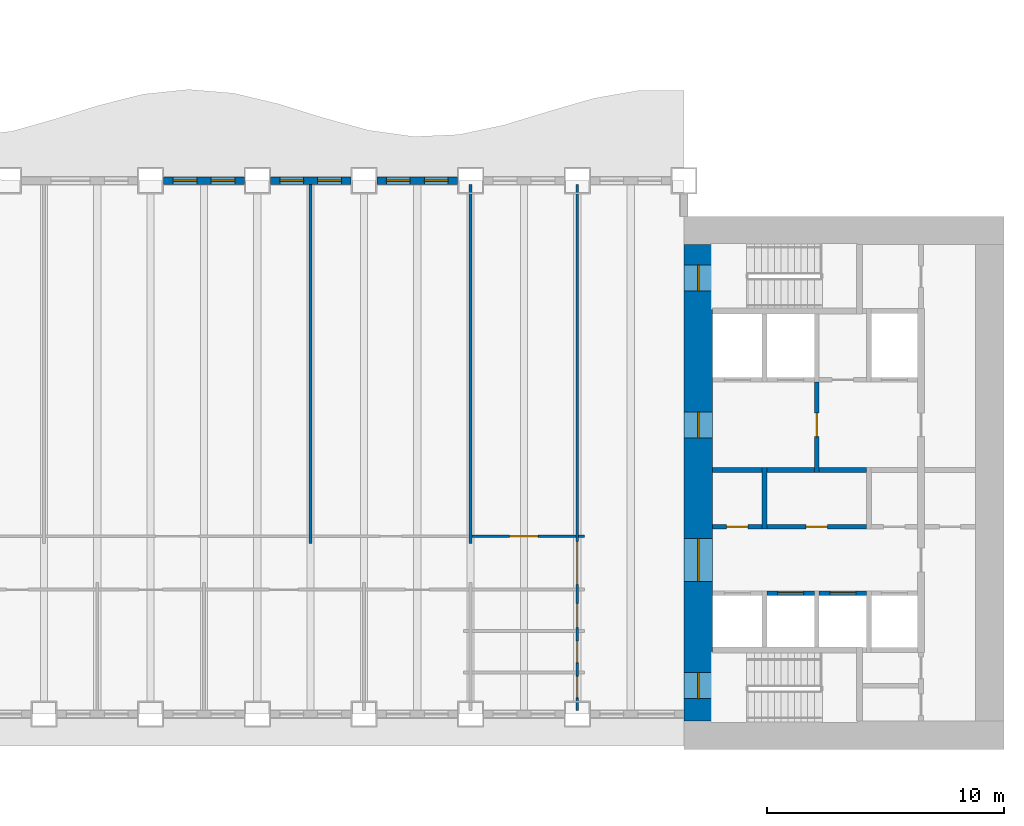
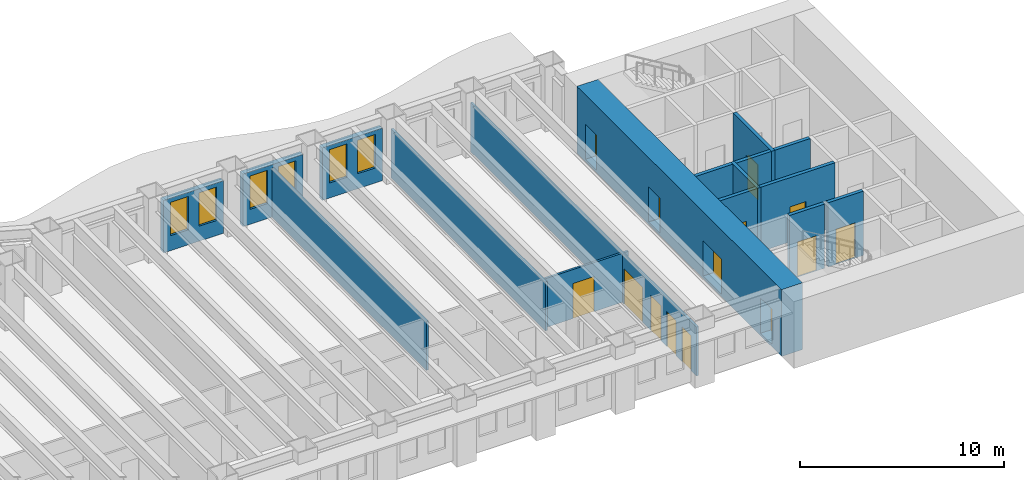
# One storey, part 6 of 17: 18 walls, 14 doors, 6 windows, 20 openings.
"""IFC4 building model written with IfcOpenShell, lengths in metres."""

from ifc_helpers import new_model, si_unit, direction, frame, frame_2d, origin, place, context, subcontext, project, spatial, rectangle, extrude, material, layer, layer_set, type_object, element, fill, save


model = new_model("IFC4")

# Units and contexts
model_context = context("Model", 3, precision=1e-05, world=origin(), true_north=direction((0.0, 1.0)))
body_context = subcontext(model_context, "Body", "Model", "MODEL_VIEW")
ifc_project = project(units=[si_unit("LENGTHUNIT", "METRE"), si_unit("AREAUNIT", "SQUARE_METRE"), si_unit("VOLUMEUNIT", "CUBIC_METRE"), si_unit("PLANEANGLEUNIT", "RADIAN"), si_unit("MASSUNIT", "GRAM", prefix="KILO")], contexts=[model_context])

# Site, building, storey
site_placement = place(None, origin())
site = spatial("IfcSite", under=ifc_project, at=site_placement, CompositionType="ELEMENT")
building_placement = place(site_placement, origin())
building = spatial("IfcBuilding", under=site, at=building_placement, Name="Sennacour Bend Tower", CompositionType="ELEMENT")
storey_placement = place(building_placement, frame((0.0, 0.0, 53.0)))
storey = spatial("IfcBuildingStorey", under=building, at=storey_placement, Name="L11", CompositionType="ELEMENT", Elevation=53.0)

# Wall, openings, doors
ifc_material_1 = material(Name="Concrete C80/95", Category="concrete")
ifc_layer_1 = layer(ifc_material_1, 1.199951171875, Name="Concrete C80/95", Category="concrete")
ifc_layer_set_1 = layer_set([ifc_layer_1], Name="Concrete C80/95")
wall_type_1 = type_object("IfcWallType", Name="Core wall 1200 C80/95", PredefinedType="SHEAR", material=ifc_layer_set_1)
wall_1_placement = place(storey_placement, frame((54.60009765625, 1.199951171875, -0.14990234375), z_axis=(0.0, 0.0, 1.0), x_axis=(0.0, 1.0, 0.0)))
wall_1 = element("IfcWall", 1, at=wall_1_placement, inside=storey, type_object=wall_type_1, Name="Core A wall L11 W", PredefinedType="SHEAR", context=body_context, shape_type="SweptSolid", body=[
    extrude(rectangle(XDim=20.10009765625, YDim=1.199951171875, at=frame_2d((10.050048828125, 0.0))), origin(), (0.0, 0.0, 1.0), 4.0),
])
opening_1_placement = place(wall_1_placement, frame((5.89990234375, 0.0, 0.14990234375)))
opening_1 = element("IfcOpeningElement", 2, at=opening_1_placement, cuts=wall_1, Name="Opening CD", PredefinedType="OPENING", context=body_context, shape_type="SweptSolid", body=[
    extrude(rectangle(XDim=1.800048828125, YDim=2.10009765625, at=frame_2d((0.89990234375, 1.050048828125))), frame((0.0, 0.60986328125, 0.0), z_axis=(0.0, -1.0, 0.0), x_axis=(1.0, 0.0, 0.0)), (0.0, 0.0, 1.0), 1.219970703125),
])
opening_2_placement = place(wall_1_placement, frame((11.949951171875, 0.0, 0.14990234375)))
opening_2 = element("IfcOpeningElement", 3, at=opening_2_placement, cuts=wall_1, Name="Opening FD", PredefinedType="OPENING", context=body_context, shape_type="SweptSolid", body=[
    extrude(rectangle(XDim=1.10009765625, YDim=2.10009765625, at=frame_2d((0.550048828125, 1.050048828125))), frame((0.0, 0.60986328125, 0.0), z_axis=(0.0, -1.0, 0.0), x_axis=(1.0, 0.0, 0.0)), (0.0, 0.0, 1.0), 1.219970703125),
])
opening_3_placement = place(wall_1_placement, frame((0.949951171875, 0.0, 0.14990234375)))
opening_3 = element("IfcOpeningElement", 4, at=opening_3_placement, cuts=wall_1, Name="Opening SD", PredefinedType="OPENING", context=body_context, shape_type="SweptSolid", body=[
    extrude(rectangle(XDim=1.10009765625, YDim=2.10009765625, at=frame_2d((0.550048828125, 1.050048828125))), frame((0.0, 0.60986328125, 0.0), z_axis=(0.0, -1.0, 0.0), x_axis=(1.0, 0.0, 0.0)), (0.0, 0.0, 1.0), 1.219970703125),
])
opening_4_placement = place(wall_1_placement, frame((18.14990234375, 0.0, 0.14990234375)))
opening_4 = element("IfcOpeningElement", 5, at=opening_4_placement, cuts=wall_1, Name="Opening SD", PredefinedType="OPENING", context=body_context, shape_type="SweptSolid", body=[
    extrude(rectangle(XDim=1.10009765625, YDim=2.10009765625, at=frame_2d((0.550048828125, 1.050048828125))), frame((0.0, 0.60986328125, 0.0), z_axis=(0.0, -1.0, 0.0), x_axis=(1.0, 0.0, 0.0)), (0.0, 0.0, 1.0), 1.219970703125),
])
ifc_material_2 = material(Name="Painted steel", Category="steel")
door_type_1 = type_object("IfcDoorType", Name="DR-FFL-1100", OperationType="NOTDEFINED", PredefinedType="DOOR", material=ifc_material_2)
door_1_placement = place(opening_2_placement, origin())
door_1 = element("IfcDoor", 6, at=door_1_placement, inside=storey, type_object=door_type_1, Name="Door", OperationType="SINGLE_SWING_RIGHT", OverallHeight=2.10009765625, OverallWidth=1.10009765625, PredefinedType="DOOR", context=body_context, shape_type="SweptSolid", body=[
    extrude(rectangle(XDim=1.10009765625, YDim=2.10009765625, at=frame_2d((0.550048828125, 1.050048828125))), frame((0.0, 0.02490234375, 0.0), z_axis=(0.0, -1.0, 0.0), x_axis=(1.0, 0.0, 0.0)), (0.0, 0.0, 1.0), 0.050048828125),
])
fill(opening_2, door_1)
door_type_2 = type_object("IfcDoorType", Name="DR-LOBBY-1800", OperationType="NOTDEFINED", PredefinedType="DOOR", material=ifc_material_2)
door_2_placement = place(opening_1_placement, origin())
door_2 = element("IfcDoor", 7, at=door_2_placement, inside=storey, type_object=door_type_2, Name="Door", OperationType="DOUBLE_DOOR_SINGLE_SWING", OverallHeight=2.10009765625, OverallWidth=1.800048828125, PredefinedType="DOOR", context=body_context, shape_type="SweptSolid", body=[
    extrude(rectangle(XDim=1.800048828125, YDim=2.10009765625, at=frame_2d((0.89990234375, 1.050048828125))), frame((0.0, 0.02490234375, 0.0), z_axis=(0.0, -1.0, 0.0), x_axis=(1.0, 0.0, 0.0)), (0.0, 0.0, 1.0), 0.050048828125),
])
fill(opening_1, door_2)
door_type_3 = type_object("IfcDoorType", Name="DR-STAIR-1100", OperationType="NOTDEFINED", PredefinedType="DOOR", material=ifc_material_2)
door_3_placement = place(opening_3_placement, origin())
door_3 = element("IfcDoor", 8, at=door_3_placement, inside=storey, type_object=door_type_3, Name="Door", OperationType="SINGLE_SWING_LEFT", OverallHeight=2.10009765625, OverallWidth=1.10009765625, PredefinedType="DOOR", context=body_context, shape_type="SweptSolid", body=[
    extrude(rectangle(XDim=1.10009765625, YDim=2.10009765625, at=frame_2d((0.550048828125, 1.050048828125))), frame((0.0, 0.02490234375, 0.0), z_axis=(0.0, -1.0, 0.0), x_axis=(1.0, 0.0, 0.0)), (0.0, 0.0, 1.0), 0.050048828125),
])
fill(opening_3, door_3)
door_4_placement = place(opening_4_placement, origin())
door_4 = element("IfcDoor", 9, at=door_4_placement, inside=storey, type_object=door_type_3, Name="Door", OperationType="SINGLE_SWING_RIGHT", OverallHeight=2.10009765625, OverallWidth=1.10009765625, PredefinedType="DOOR", context=body_context, shape_type="SweptSolid", body=[
    extrude(rectangle(XDim=1.10009765625, YDim=2.10009765625, at=frame_2d((0.550048828125, 1.050048828125))), frame((0.0, 0.02490234375, 0.0), z_axis=(0.0, -1.0, 0.0), x_axis=(1.0, 0.0, 0.0)), (0.0, 0.0, 1.0), 0.050048828125),
])
fill(opening_4, door_4)

# Walls
ifc_material_3 = material(Name="Plasterboard partition on steel studs", Category="steel")
ifc_layer_2 = layer(ifc_material_3, 0.1201171875, Name="Plasterboard partition on steel studs", Category="steel")
ifc_layer_set_2 = layer_set([ifc_layer_2], Name="Plasterboard partition on steel studs")
wall_type_2 = type_object("IfcWallType", Name="Partition 120", PredefinedType="PARTITIONING", material=ifc_layer_set_2)
for number, where, z_axis, x_axis, name in (
    (10, (38.25, 8.699951171875, 0.0), (0.0, 0.0, 1.0), (0.0, 1.0, 0.0), "P-L11-W030a"),
    (11, (45.0, 8.699951171875, 0.0), (0.0, 0.0, 1.0), (0.0, 1.0, 0.0), "P-L11-W033a"),
):
    element("IfcWall", number, at=place(storey_placement, frame(where, z_axis=z_axis, x_axis=x_axis)), inside=storey, type_object=wall_type_2, Name=name, PredefinedType="PARTITIONING", context=body_context, shape_type="SweptSolid", body=[
        extrude(rectangle(XDim=15.150146484375, YDim=0.1201171875, at=frame_2d((7.5751953125, 0.0))), origin(), (0.0, 0.0, 1.0), 2.93798828125),
    ])

# Wall, opening, door
wall_2_placement = place(storey_placement, frame((45.06005859375, 9.0, 0.0), z_axis=(0.0, 0.0, 1.0), x_axis=(1.0, 0.0, 0.0)))
wall_2 = element("IfcWall", 12, at=wall_2_placement, inside=storey, type_object=wall_type_2, Name="P-L11-W062af", PredefinedType="PARTITIONING", context=body_context, shape_type="SweptSolid", body=[
    extrude(rectangle(XDim=4.3798828125, YDim=0.1201171875, at=frame_2d((2.18994140625, 0.0))), origin(), (0.0, 0.0, 1.0), 2.93798828125),
])
opening_5_placement = place(wall_2_placement, frame((1.58984375, 0.0, 0.0)))
opening_5 = element("IfcOpeningElement", 13, at=opening_5_placement, cuts=wall_2, Name="Opening OD", PredefinedType="OPENING", context=body_context, shape_type="SweptSolid", body=[
    extrude(rectangle(XDim=1.199951171875, YDim=2.10009765625, at=frame_2d((0.60009765625, 1.050048828125))), frame((0.0, 0.070068359375, 0.0), z_axis=(0.0, -1.0, 0.0), x_axis=(1.0, 0.0, 0.0)), (0.0, 0.0, 1.0), 0.14013671875),
])
ifc_material_4 = material(Name="Timber", Category="wood")
door_type_4 = type_object("IfcDoorType", Name="DR-OFFICE-1200", OperationType="NOTDEFINED", PredefinedType="DOOR", material=ifc_material_4)
door_5_placement = place(opening_5_placement, origin())
door_5 = element("IfcDoor", 14, at=door_5_placement, inside=storey, type_object=door_type_4, Name="Door", OperationType="SINGLE_SWING_LEFT", OverallHeight=2.10009765625, OverallWidth=1.199951171875, PredefinedType="DOOR", context=body_context, shape_type="SweptSolid", body=[
    extrude(rectangle(XDim=1.199951171875, YDim=2.10009765625, at=frame_2d((0.60009765625, 1.050048828125))), frame((0.0, 0.02490234375, 0.0), z_axis=(0.0, -1.0, 0.0), x_axis=(1.0, 0.0, 0.0)), (0.0, 0.0, 1.0), 0.050048828125),
])
fill(opening_5, door_5)

# Wall
wall_3_placement = place(storey_placement, frame((49.56005859375, 9.0, 0.0), z_axis=(0.0, 0.0, 1.0), x_axis=(1.0, 0.0, 0.0)))
element("IfcWall", 15, at=wall_3_placement, inside=storey, type_object=wall_type_2, Name="P-L11-W062ag", PredefinedType="PARTITIONING", context=body_context, shape_type="SweptSolid", body=[
    extrude(rectangle(XDim=0.239990234375, YDim=0.1201171875, at=frame_2d((0.1201171875, 0.0))), origin(), (0.0, 0.0, 1.0), 2.93798828125),
])

# Wall, openings, doors
ifc_layer_3 = layer(ifc_material_3, 0.1201171875, Name="Plasterboard partition on steel studs", Category="steel")
ifc_layer_set_3 = layer_set([ifc_layer_3], Name="Plasterboard partition on steel studs")
wall_type_3 = type_object("IfcWallType", Name="Partition 120 EI 30", PredefinedType="PARTITIONING", material=ifc_layer_set_3)
wall_4_placement = place(storey_placement, frame((49.5, 1.64990234375, 0.0), z_axis=(0.0, 0.0, 1.0), x_axis=(0.0, 1.0, 0.0)))
wall_4 = element("IfcWall", 16, at=wall_4_placement, inside=storey, type_object=wall_type_3, Name="P-L11-W034a", PredefinedType="PARTITIONING", context=body_context, shape_type="SweptSolid", body=[
    extrude(rectangle(XDim=22.2001953125, YDim=0.1201171875, at=frame_2d((11.10009765625, 0.0))), origin(), (0.0, 0.0, 1.0), 2.93798828125),
])
opening_6_placement = place(wall_4_placement, frame((5.3251953125, 0.0, 0.0)))
opening_6 = element("IfcOpeningElement", 17, at=opening_6_placement, cuts=wall_4, Name="Opening KD3", PredefinedType="OPENING", context=body_context, shape_type="SweptSolid", body=[
    extrude(rectangle(XDim=1.800048828125, YDim=2.10009765625, at=frame_2d((0.89990234375, 1.050048828125))), frame((0.0, 0.070068359375, 0.0), z_axis=(0.0, -1.0, 0.0), x_axis=(1.0, 0.0, 0.0)), (0.0, 0.0, 1.0), 0.14013671875),
])
opening_7_placement = place(wall_4_placement, frame((0.5400390625, 0.0, 0.0)))
opening_7 = element("IfcOpeningElement", 18, at=opening_7_placement, cuts=wall_4, Name="Opening WD", PredefinedType="OPENING", context=body_context, shape_type="SweptSolid", body=[
    extrude(rectangle(XDim=0.89990234375, YDim=2.10009765625, at=frame_2d((0.449951171875, 1.050048828125))), frame((0.0, 0.070068359375, 0.0), z_axis=(0.0, -1.0, 0.0), x_axis=(1.0, 0.0, 0.0)), (0.0, 0.0, 1.0), 0.14013671875),
])
opening_8_placement = place(wall_4_placement, frame((2.025146484375, 0.0, 0.0)))
opening_8 = element("IfcOpeningElement", 19, at=opening_8_placement, cuts=wall_4, Name="Opening WD", PredefinedType="OPENING", context=body_context, shape_type="SweptSolid", body=[
    extrude(rectangle(XDim=0.89990234375, YDim=2.10009765625, at=frame_2d((0.449951171875, 1.050048828125))), frame((0.0, 0.070068359375, 0.0), z_axis=(0.0, -1.0, 0.0), x_axis=(1.0, 0.0, 0.0)), (0.0, 0.0, 1.0), 0.14013671875),
])
opening_9_placement = place(wall_4_placement, frame((3.510009765625, 0.0, 0.0)))
opening_9 = element("IfcOpeningElement", 20, at=opening_9_placement, cuts=wall_4, Name="Opening AD", PredefinedType="OPENING", context=body_context, shape_type="SweptSolid", body=[
    extrude(rectangle(XDim=1.0, YDim=2.10009765625, at=frame_2d((0.5, 1.050048828125))), frame((0.0, 0.070068359375, 0.0), z_axis=(0.0, -1.0, 0.0), x_axis=(1.0, 0.0, 0.0)), (0.0, 0.0, 1.0), 0.14013671875),
])
door_type_5 = type_object("IfcDoorType", Name="DR-ACC-WC-1000", OperationType="NOTDEFINED", PredefinedType="DOOR", material=ifc_material_4)
door_6_placement = place(opening_9_placement, origin())
door_6 = element("IfcDoor", 21, at=door_6_placement, inside=storey, type_object=door_type_5, Name="Door", OperationType="SINGLE_SWING_LEFT", OverallHeight=2.10009765625, OverallWidth=1.0, PredefinedType="DOOR", context=body_context, shape_type="SweptSolid", body=[
    extrude(rectangle(XDim=1.0, YDim=2.10009765625, at=frame_2d((0.5, 1.050048828125))), frame((0.0, 0.02490234375, 0.0), z_axis=(0.0, -1.0, 0.0), x_axis=(1.0, 0.0, 0.0)), (0.0, 0.0, 1.0), 0.050048828125),
])
fill(opening_9, door_6)
door_type_6 = type_object("IfcDoorType", Name="DR-CORRIDOR-1800", OperationType="NOTDEFINED", PredefinedType="DOOR", material=ifc_material_2)
door_7_placement = place(opening_6_placement, origin())
door_7 = element("IfcDoor", 22, at=door_7_placement, inside=storey, type_object=door_type_6, Name="Door", OperationType="DOUBLE_DOOR_SINGLE_SWING", OverallHeight=2.10009765625, OverallWidth=1.800048828125, PredefinedType="DOOR", context=body_context, shape_type="SweptSolid", body=[
    extrude(rectangle(XDim=1.800048828125, YDim=2.10009765625, at=frame_2d((0.89990234375, 1.050048828125))), frame((0.0, 0.02490234375, 0.0), z_axis=(0.0, -1.0, 0.0), x_axis=(1.0, 0.0, 0.0)), (0.0, 0.0, 1.0), 0.050048828125),
])
fill(opening_6, door_7)
door_type_7 = type_object("IfcDoorType", Name="DR-WC-900", OperationType="NOTDEFINED", PredefinedType="DOOR", material=ifc_material_4)
door_8_placement = place(opening_7_placement, origin())
door_8 = element("IfcDoor", 23, at=door_8_placement, inside=storey, type_object=door_type_7, Name="Door", OperationType="SINGLE_SWING_LEFT", OverallHeight=2.10009765625, OverallWidth=0.89990234375, PredefinedType="DOOR", context=body_context, shape_type="SweptSolid", body=[
    extrude(rectangle(XDim=0.89990234375, YDim=2.10009765625, at=frame_2d((0.449951171875, 1.050048828125))), frame((0.0, 0.02490234375, 0.0), z_axis=(0.0, -1.0, 0.0), x_axis=(1.0, 0.0, 0.0)), (0.0, 0.0, 1.0), 0.050048828125),
])
fill(opening_7, door_8)
door_9_placement = place(opening_8_placement, origin())
door_9 = element("IfcDoor", 24, at=door_9_placement, inside=storey, type_object=door_type_7, Name="Door", OperationType="SINGLE_SWING_LEFT", OverallHeight=2.10009765625, OverallWidth=0.89990234375, PredefinedType="DOOR", context=body_context, shape_type="SweptSolid", body=[
    extrude(rectangle(XDim=0.89990234375, YDim=2.10009765625, at=frame_2d((0.449951171875, 1.050048828125))), frame((0.0, 0.02490234375, 0.0), z_axis=(0.0, -1.0, 0.0), x_axis=(1.0, 0.0, 0.0)), (0.0, 0.0, 1.0), 0.050048828125),
])
fill(opening_8, door_9)

# Wall
ifc_material_5 = material(Name="Fire-rated plasterboard partition on steel studs", Category="steel")
ifc_layer_4 = layer(ifc_material_5, 0.199951171875, Name="Fire-rated plasterboard partition on steel studs", Category="steel")
ifc_layer_set_4 = layer_set([ifc_layer_4], Name="Fire-rated plasterboard partition on steel studs")
wall_type_4 = type_object("IfcWallType", Name="Rated partition 200", PredefinedType="PARTITIONING", material=ifc_layer_set_4)
wall_5_placement = place(storey_placement, frame((57.39990234375, 9.300048828125, 0.0), z_axis=(0.0, 0.0, 1.0), x_axis=(0.0, 1.0, 0.0)))
element("IfcWall", 25, at=wall_5_placement, inside=storey, type_object=wall_type_4, Name="P-L11-W037", PredefinedType="PARTITIONING", context=body_context, shape_type="SweptSolid", body=[
    extrude(rectangle(XDim=2.599853515625, YDim=0.199951171875, at=frame_2d((1.2998046875, 0.0))), origin(), (0.0, 0.0, 1.0), 3.85009765625),
])

# Wall, opening, door
wall_6_placement = place(storey_placement, frame((55.199951171875, 9.39990234375, 0.0), z_axis=(0.0, 0.0, 1.0), x_axis=(1.0, 0.0, 0.0)))
wall_6 = element("IfcWall", 26, at=wall_6_placement, inside=storey, type_object=wall_type_4, Name="P-L11-W063a", PredefinedType="PARTITIONING", context=body_context, shape_type="SweptSolid", body=[
    extrude(rectangle(XDim=2.10009765625, YDim=0.199951171875, at=frame_2d((1.050048828125, 0.0))), origin(), (0.0, 0.0, 1.0), 3.85009765625),
])
opening_10_placement = place(wall_6_placement, frame((0.60009765625, 0.0, 0.0)))
opening_10 = element("IfcOpeningElement", 27, at=opening_10_placement, cuts=wall_6, Name="Opening SV", PredefinedType="OPENING", context=body_context, shape_type="SweptSolid", body=[
    extrude(rectangle(XDim=0.89990234375, YDim=2.10009765625, at=frame_2d((0.449951171875, 1.050048828125))), frame((0.0, 0.10986328125, 0.0), z_axis=(0.0, -1.0, 0.0), x_axis=(1.0, 0.0, 0.0)), (0.0, 0.0, 1.0), 0.219970703125),
])
door_type_8 = type_object("IfcDoorType", Name="DR-SERVICE-900", OperationType="NOTDEFINED", PredefinedType="DOOR", material=ifc_material_2)
door_10_placement = place(opening_10_placement, origin())
door_10 = element("IfcDoor", 28, at=door_10_placement, inside=storey, type_object=door_type_8, Name="Door", OperationType="SINGLE_SWING_LEFT", OverallHeight=2.10009765625, OverallWidth=0.89990234375, PredefinedType="DOOR", context=body_context, shape_type="SweptSolid", body=[
    extrude(rectangle(XDim=0.89990234375, YDim=2.10009765625, at=frame_2d((0.449951171875, 1.050048828125))), frame((0.0, 0.02490234375, 0.0), z_axis=(0.0, -1.0, 0.0), x_axis=(1.0, 0.0, 0.0)), (0.0, 0.0, 1.0), 0.050048828125),
])
fill(opening_10, door_10)

wall_7_placement = place(storey_placement, frame((57.5, 9.39990234375, 0.0), z_axis=(0.0, 0.0, 1.0), x_axis=(1.0, 0.0, 0.0)))
wall_7 = element("IfcWall", 29, at=wall_7_placement, inside=storey, type_object=wall_type_4, Name="P-L11-W063b", PredefinedType="PARTITIONING", context=body_context, shape_type="SweptSolid", body=[
    extrude(rectangle(XDim=4.199951171875, YDim=0.199951171875, at=frame_2d((2.10009765625, 0.0))), origin(), (0.0, 0.0, 1.0), 3.85009765625),
])
opening_11_placement = place(wall_7_placement, frame((1.64990234375, 0.0, 0.0)))
opening_11 = element("IfcOpeningElement", 30, at=opening_11_placement, cuts=wall_7, Name="Opening WD", PredefinedType="OPENING", context=body_context, shape_type="SweptSolid", body=[
    extrude(rectangle(XDim=0.89990234375, YDim=2.10009765625, at=frame_2d((0.449951171875, 1.050048828125))), frame((0.0, 0.10986328125, 0.0), z_axis=(0.0, -1.0, 0.0), x_axis=(1.0, 0.0, 0.0)), (0.0, 0.0, 1.0), 0.219970703125),
])
door_11_placement = place(opening_11_placement, origin())
door_11 = element("IfcDoor", 31, at=door_11_placement, inside=storey, type_object=door_type_7, Name="Door", OperationType="SINGLE_SWING_RIGHT", OverallHeight=2.10009765625, OverallWidth=0.89990234375, PredefinedType="DOOR", context=body_context, shape_type="SweptSolid", body=[
    extrude(rectangle(XDim=0.89990234375, YDim=2.10009765625, at=frame_2d((0.449951171875, 1.050048828125))), frame((0.0, 0.02490234375, 0.0), z_axis=(0.0, -1.0, 0.0), x_axis=(1.0, 0.0, 0.0)), (0.0, 0.0, 1.0), 0.050048828125),
])
fill(opening_11, door_11)

# Walls
wall_8_placement = place(storey_placement, frame((55.199951171875, 11.800048828125, 0.0), z_axis=(0.0, 0.0, 1.0), x_axis=(1.0, 0.0, 0.0)))
element("IfcWall", 32, at=wall_8_placement, inside=storey, type_object=wall_type_4, Name="P-L11-W064a", PredefinedType="PARTITIONING", context=body_context, shape_type="SweptSolid", body=[
    extrude(rectangle(XDim=2.10009765625, YDim=0.199951171875, at=frame_2d((1.050048828125, 0.0))), origin(), (0.0, 0.0, 1.0), 3.85009765625),
])
for number, where, z_axis, x_axis, name in (
    (33, (57.5, 11.800048828125, 0.0), (0.0, 0.0, 1.0), (1.0, 0.0, 0.0), "P-L11-W064b"),
    (34, (59.699951171875, 11.800048828125, 0.0), (0.0, 0.0, 1.0), (1.0, 0.0, 0.0), "P-L11-W064c"),
):
    element("IfcWall", number, at=place(storey_placement, frame(where, z_axis=z_axis, x_axis=x_axis)), inside=storey, type_object=wall_type_4, Name=name, PredefinedType="PARTITIONING", context=body_context, shape_type="SweptSolid", body=[
        extrude(rectangle(XDim=2.0, YDim=0.199951171875, at=frame_2d((1.0, 0.0))), origin(), (0.0, 0.0, 1.0), 3.85009765625),
    ])

# Wall, opening, door
ifc_layer_5 = layer(ifc_material_5, 0.199951171875, Name="Fire-rated plasterboard partition on steel studs", Category="steel")
ifc_layer_set_5 = layer_set([ifc_layer_5], Name="Fire-rated plasterboard partition on steel studs")
wall_type_5 = type_object("IfcWallType", Name="Rated partition 200 EI 90", PredefinedType="PARTITIONING", material=ifc_layer_set_5)
wall_9_placement = place(storey_placement, frame((59.60009765625, 11.699951171875, 0.0), z_axis=(0.0, 0.0, 1.0), x_axis=(0.0, 1.0, 0.0)))
wall_9 = element("IfcWall", 35, at=wall_9_placement, inside=storey, type_object=wall_type_5, Name="P-L11-W040", PredefinedType="PARTITIONING", context=body_context, shape_type="SweptSolid", body=[
    extrude(rectangle(XDim=3.800048828125, YDim=0.199951171875, at=frame_2d((1.89990234375, 0.0))), origin(), (0.0, 0.0, 1.0), 3.85009765625),
])
opening_12_placement = place(wall_9_placement, frame((1.5, 0.0, 0.0)))
opening_12 = element("IfcOpeningElement", 36, at=opening_12_placement, cuts=wall_9, Name="Opening FD2", PredefinedType="OPENING", context=body_context, shape_type="SweptSolid", body=[
    extrude(rectangle(XDim=1.0, YDim=2.10009765625, at=frame_2d((0.5, 1.050048828125))), frame((0.0, 0.10986328125, 0.0), z_axis=(0.0, -1.0, 0.0), x_axis=(1.0, 0.0, 0.0)), (0.0, 0.0, 1.0), 0.219970703125),
])
door_type_9 = type_object("IfcDoorType", Name="DR-FFL-1000", OperationType="NOTDEFINED", PredefinedType="DOOR", material=ifc_material_2)
door_12_placement = place(opening_12_placement, origin())
door_12 = element("IfcDoor", 37, at=door_12_placement, inside=storey, type_object=door_type_9, Name="Door", OperationType="SINGLE_SWING_RIGHT", OverallHeight=2.10009765625, OverallWidth=1.0, PredefinedType="DOOR", context=body_context, shape_type="SweptSolid", body=[
    extrude(rectangle(XDim=1.0, YDim=2.10009765625, at=frame_2d((0.5, 1.050048828125))), frame((0.0, 0.02490234375, 0.0), z_axis=(0.0, -1.0, 0.0), x_axis=(1.0, 0.0, 0.0)), (0.0, 0.0, 1.0), 0.050048828125),
])
fill(opening_12, door_12)

# Wall, openings, windows
ifc_material_6 = material(Name="Warm limestone cladding", Category="masonry")
ifc_layer_6 = layer(ifc_material_6, 0.050048828125, Name="Warm limestone cladding", Category="masonry")
ifc_material_7 = material(Name="Precast concrete C40/50", Category="concrete")
ifc_layer_7 = layer(ifc_material_7, 0.25, Name="Precast concrete C40/50", Category="concrete")
ifc_layer_set_6 = layer_set([ifc_layer_6, ifc_layer_7], Name="Precast concrete C40/50 with limestone cladding")
wall_type_6 = type_object("IfcWallType", Name="STONE-CLAD PRECAST SPANDREL 300", PredefinedType="STANDARD", material=ifc_layer_set_6)
wall_10_placement = place(storey_placement, frame((44.449951171875, 24.0, 0.0), z_axis=(0.0, 0.0, 1.0), x_axis=(-1.0, 0.0, 0.0)))
wall_10 = element("IfcWall", 38, at=wall_10_placement, inside=storey, type_object=wall_type_6, Name="Stone spandrel and pier wall L11 08.02", PredefinedType="STANDARD", context=body_context, shape_type="SweptSolid", body=[
    extrude(rectangle(XDim=3.39990234375, YDim=0.300048828125, at=frame_2d((1.699951171875, 0.0))), origin(), (0.0, 0.0, 1.0), 3.14404296875),
])
opening_13_placement = place(wall_10_placement, frame((0.39990234375, 0.0, 0.89990234375)))
opening_13 = element("IfcOpeningElement", 39, at=opening_13_placement, cuts=wall_10, Name="Opening W8", PredefinedType="OPENING", context=body_context, shape_type="SweptSolid", body=[
    extrude(rectangle(XDim=1.0, YDim=2.0, at=frame_2d((0.5, 1.0))), frame((0.0, 0.16015625, 0.0), z_axis=(0.0, -1.0, 0.0), x_axis=(1.0, 0.0, 0.0)), (0.0, 0.0, 1.0), 0.320068359375),
])
opening_14_placement = place(wall_10_placement, frame((2.0, 0.0, 0.89990234375)))
opening_14 = element("IfcOpeningElement", 40, at=opening_14_placement, cuts=wall_10, Name="Opening W8", PredefinedType="OPENING", context=body_context, shape_type="SweptSolid", body=[
    extrude(rectangle(XDim=1.0, YDim=2.0, at=frame_2d((0.5, 1.0))), frame((0.0, 0.16015625, 0.0), z_axis=(0.0, -1.0, 0.0), x_axis=(1.0, 0.0, 0.0)), (0.0, 0.0, 1.0), 0.320068359375),
])
ifc_material_8 = material(Name="Clear low-emissivity glass", Category="glass")
window_type = type_object("IfcWindowType", Name="WIN-RIBBON-1000x2000", PartitioningType="SINGLE_PANEL", PredefinedType="WINDOW", material=ifc_material_8)
window_1_placement = place(opening_13_placement, origin())
window_1 = element("IfcWindow", 41, at=window_1_placement, inside=storey, type_object=window_type, Name="Ribbon window L11 08.02.0", OverallHeight=2.0, OverallWidth=1.0, PartitioningType="SINGLE_PANEL", PredefinedType="WINDOW", context=body_context, shape_type="SweptSolid", body=[
    extrude(rectangle(XDim=1.0, YDim=2.0, at=frame_2d((0.5, 1.0))), frame((0.0, 0.030029296875, 0.0), z_axis=(0.0, -1.0, 0.0), x_axis=(1.0, 0.0, 0.0)), (0.0, 0.0, 1.0), 0.06005859375),
])
fill(opening_13, window_1)
window_2_placement = place(opening_14_placement, origin())
window_2 = element("IfcWindow", 42, at=window_2_placement, inside=storey, type_object=window_type, Name="Ribbon window L11 08.02.1", OverallHeight=2.0, OverallWidth=1.0, PartitioningType="SINGLE_PANEL", PredefinedType="WINDOW", context=body_context, shape_type="SweptSolid", body=[
    extrude(rectangle(XDim=1.0, YDim=2.0, at=frame_2d((0.5, 1.0))), frame((0.0, 0.030029296875, 0.0), z_axis=(0.0, -1.0, 0.0), x_axis=(1.0, 0.0, 0.0)), (0.0, 0.0, 1.0), 0.06005859375),
])
fill(opening_14, window_2)

wall_11_placement = place(storey_placement, frame((39.949951171875, 24.0, 0.0), z_axis=(0.0, 0.0, 1.0), x_axis=(-1.0, 0.0, 0.0)))
wall_11 = element("IfcWall", 43, at=wall_11_placement, inside=storey, type_object=wall_type_6, Name="Stone spandrel and pier wall L11 08.03", PredefinedType="STANDARD", context=body_context, shape_type="SweptSolid", body=[
    extrude(rectangle(XDim=3.39990234375, YDim=0.300048828125, at=frame_2d((1.699951171875, 0.0))), origin(), (0.0, 0.0, 1.0), 3.14404296875),
])
opening_15_placement = place(wall_11_placement, frame((0.39990234375, 0.0, 0.89990234375)))
opening_15 = element("IfcOpeningElement", 44, at=opening_15_placement, cuts=wall_11, Name="Opening W8", PredefinedType="OPENING", context=body_context, shape_type="SweptSolid", body=[
    extrude(rectangle(XDim=1.0, YDim=2.0, at=frame_2d((0.5, 1.0))), frame((0.0, 0.16015625, 0.0), z_axis=(0.0, -1.0, 0.0), x_axis=(1.0, 0.0, 0.0)), (0.0, 0.0, 1.0), 0.320068359375),
])
opening_16_placement = place(wall_11_placement, frame((2.0, 0.0, 0.89990234375)))
opening_16 = element("IfcOpeningElement", 45, at=opening_16_placement, cuts=wall_11, Name="Opening W8", PredefinedType="OPENING", context=body_context, shape_type="SweptSolid", body=[
    extrude(rectangle(XDim=1.0, YDim=2.0, at=frame_2d((0.5, 1.0))), frame((0.0, 0.16015625, 0.0), z_axis=(0.0, -1.0, 0.0), x_axis=(1.0, 0.0, 0.0)), (0.0, 0.0, 1.0), 0.320068359375),
])
window_3_placement = place(opening_15_placement, origin())
window_3 = element("IfcWindow", 46, at=window_3_placement, inside=storey, type_object=window_type, Name="Ribbon window L11 08.03.0", OverallHeight=2.0, OverallWidth=1.0, PartitioningType="SINGLE_PANEL", PredefinedType="WINDOW", context=body_context, shape_type="SweptSolid", body=[
    extrude(rectangle(XDim=1.0, YDim=2.0, at=frame_2d((0.5, 1.0))), frame((0.0, 0.030029296875, 0.0), z_axis=(0.0, -1.0, 0.0), x_axis=(1.0, 0.0, 0.0)), (0.0, 0.0, 1.0), 0.06005859375),
])
fill(opening_15, window_3)
window_4_placement = place(opening_16_placement, origin())
window_4 = element("IfcWindow", 47, at=window_4_placement, inside=storey, type_object=window_type, Name="Ribbon window L11 08.03.1", OverallHeight=2.0, OverallWidth=1.0, PartitioningType="SINGLE_PANEL", PredefinedType="WINDOW", context=body_context, shape_type="SweptSolid", body=[
    extrude(rectangle(XDim=1.0, YDim=2.0, at=frame_2d((0.5, 1.0))), frame((0.0, 0.030029296875, 0.0), z_axis=(0.0, -1.0, 0.0), x_axis=(1.0, 0.0, 0.0)), (0.0, 0.0, 1.0), 0.06005859375),
])
fill(opening_16, window_4)

wall_12_placement = place(storey_placement, frame((35.449951171875, 24.0, 0.0), z_axis=(0.0, 0.0, 1.0), x_axis=(-1.0, 0.0, 0.0)))
wall_12 = element("IfcWall", 48, at=wall_12_placement, inside=storey, type_object=wall_type_6, Name="Stone spandrel and pier wall L11 08.04", PredefinedType="STANDARD", context=body_context, shape_type="SweptSolid", body=[
    extrude(rectangle(XDim=3.39990234375, YDim=0.300048828125, at=frame_2d((1.699951171875, 0.0))), origin(), (0.0, 0.0, 1.0), 3.14404296875),
])
opening_17_placement = place(wall_12_placement, frame((0.39990234375, 0.0, 0.89990234375)))
opening_17 = element("IfcOpeningElement", 49, at=opening_17_placement, cuts=wall_12, Name="Opening W8", PredefinedType="OPENING", context=body_context, shape_type="SweptSolid", body=[
    extrude(rectangle(XDim=1.0, YDim=2.0, at=frame_2d((0.5, 1.0))), frame((0.0, 0.16015625, 0.0), z_axis=(0.0, -1.0, 0.0), x_axis=(1.0, 0.0, 0.0)), (0.0, 0.0, 1.0), 0.320068359375),
])
opening_18_placement = place(wall_12_placement, frame((2.0, 0.0, 0.89990234375)))
opening_18 = element("IfcOpeningElement", 50, at=opening_18_placement, cuts=wall_12, Name="Opening W8", PredefinedType="OPENING", context=body_context, shape_type="SweptSolid", body=[
    extrude(rectangle(XDim=1.0, YDim=2.0, at=frame_2d((0.5, 1.0))), frame((0.0, 0.16015625, 0.0), z_axis=(0.0, -1.0, 0.0), x_axis=(1.0, 0.0, 0.0)), (0.0, 0.0, 1.0), 0.320068359375),
])
window_5_placement = place(opening_17_placement, origin())
window_5 = element("IfcWindow", 51, at=window_5_placement, inside=storey, type_object=window_type, Name="Ribbon window L11 08.04.0", OverallHeight=2.0, OverallWidth=1.0, PartitioningType="SINGLE_PANEL", PredefinedType="WINDOW", context=body_context, shape_type="SweptSolid", body=[
    extrude(rectangle(XDim=1.0, YDim=2.0, at=frame_2d((0.5, 1.0))), frame((0.0, 0.030029296875, 0.0), z_axis=(0.0, -1.0, 0.0), x_axis=(1.0, 0.0, 0.0)), (0.0, 0.0, 1.0), 0.06005859375),
])
fill(opening_17, window_5)
window_6_placement = place(opening_18_placement, origin())
window_6 = element("IfcWindow", 52, at=window_6_placement, inside=storey, type_object=window_type, Name="Ribbon window L11 08.04.1", OverallHeight=2.0, OverallWidth=1.0, PartitioningType="SINGLE_PANEL", PredefinedType="WINDOW", context=body_context, shape_type="SweptSolid", body=[
    extrude(rectangle(XDim=1.0, YDim=2.0, at=frame_2d((0.5, 1.0))), frame((0.0, 0.030029296875, 0.0), z_axis=(0.0, -1.0, 0.0), x_axis=(1.0, 0.0, 0.0)), (0.0, 0.0, 1.0), 0.06005859375),
])
fill(opening_18, window_6)

# Wall, opening, door
ifc_material_9 = material(Name="Concrete C50/60", Category="concrete")
ifc_layer_8 = layer(ifc_material_9, 0.199951171875, Name="Concrete C50/60", Category="concrete")
ifc_layer_set_7 = layer_set([ifc_layer_8], Name="Concrete C50/60")
wall_type_7 = type_object("IfcWallType", Name="Shaft wall 200", PredefinedType="SOLIDWALL", material=ifc_layer_set_7)
wall_13_placement = place(storey_placement, frame((57.5, 6.60009765625, 0.0), z_axis=(0.0, 0.0, 1.0), x_axis=(1.0, 0.0, 0.0)))
wall_13 = element("IfcWall", 53, at=wall_13_placement, inside=storey, type_object=wall_type_7, Name="P-L11-W060b", PredefinedType="SOLIDWALL", context=body_context, shape_type="SweptSolid", body=[
    extrude(rectangle(XDim=2.0, YDim=0.199951171875, at=frame_2d((1.0, 0.0))), origin(), (0.0, 0.0, 1.0), 3.85009765625),
])
opening_19_placement = place(wall_13_placement, frame((0.449951171875, 0.0, 0.011962890625)))
opening_19 = element("IfcOpeningElement", 54, at=opening_19_placement, cuts=wall_13, Name="Opening LD", PredefinedType="OPENING", context=body_context, shape_type="SweptSolid", body=[
    extrude(rectangle(XDim=1.10009765625, YDim=2.10009765625, at=frame_2d((0.550048828125, 1.050048828125))), frame((0.0, 0.10986328125, 0.0), z_axis=(0.0, -1.0, 0.0), x_axis=(1.0, 0.0, 0.0)), (0.0, 0.0, 1.0), 0.219970703125),
])
ifc_material_10 = material(Name="Stainless steel", Category="steel")
door_type_10 = type_object("IfcDoorType", Name="DR-LANDING-1100", OperationType="NOTDEFINED", PredefinedType="DOOR", material=ifc_material_10)
door_13_placement = place(opening_19_placement, origin())
door_13 = element("IfcDoor", 55, at=door_13_placement, inside=storey, type_object=door_type_10, Name="Lift landing door LA2", OperationType="SLIDING_TO_RIGHT", OverallHeight=2.10009765625, OverallWidth=1.10009765625, PredefinedType="DOOR", context=body_context, shape_type="SweptSolid", body=[
    extrude(rectangle(XDim=1.10009765625, YDim=2.10009765625, at=frame_2d((0.550048828125, 1.050048828125))), frame((0.0, 0.02490234375, 0.0), z_axis=(0.0, -1.0, 0.0), x_axis=(1.0, 0.0, 0.0)), (0.0, 0.0, 1.0), 0.050048828125),
])
fill(opening_19, door_13)

wall_14_placement = place(storey_placement, frame((59.699951171875, 6.60009765625, 0.0), z_axis=(0.0, 0.0, 1.0), x_axis=(1.0, 0.0, 0.0)))
wall_14 = element("IfcWall", 56, at=wall_14_placement, inside=storey, type_object=wall_type_7, Name="P-L11-W060c", PredefinedType="SOLIDWALL", context=body_context, shape_type="SweptSolid", body=[
    extrude(rectangle(XDim=2.0, YDim=0.199951171875, at=frame_2d((1.0, 0.0))), origin(), (0.0, 0.0, 1.0), 3.85009765625),
])
opening_20_placement = place(wall_14_placement, frame((0.449951171875, 0.0, 0.011962890625)))
opening_20 = element("IfcOpeningElement", 57, at=opening_20_placement, cuts=wall_14, Name="Opening LD", PredefinedType="OPENING", context=body_context, shape_type="SweptSolid", body=[
    extrude(rectangle(XDim=1.10009765625, YDim=2.10009765625, at=frame_2d((0.550048828125, 1.050048828125))), frame((0.0, 0.10986328125, 0.0), z_axis=(0.0, -1.0, 0.0), x_axis=(1.0, 0.0, 0.0)), (0.0, 0.0, 1.0), 0.219970703125),
])
door_14_placement = place(opening_20_placement, origin())
door_14 = element("IfcDoor", 58, at=door_14_placement, inside=storey, type_object=door_type_10, Name="Lift landing door LA3", OperationType="SLIDING_TO_LEFT", OverallHeight=2.10009765625, OverallWidth=1.10009765625, PredefinedType="DOOR", context=body_context, shape_type="SweptSolid", body=[
    extrude(rectangle(XDim=1.10009765625, YDim=2.10009765625, at=frame_2d((0.550048828125, 1.050048828125))), frame((0.0, 0.02490234375, 0.0), z_axis=(0.0, -1.0, 0.0), x_axis=(1.0, 0.0, 0.0)), (0.0, 0.0, 1.0), 0.050048828125),
])
fill(opening_20, door_14)

save(model, "model.ifc")
